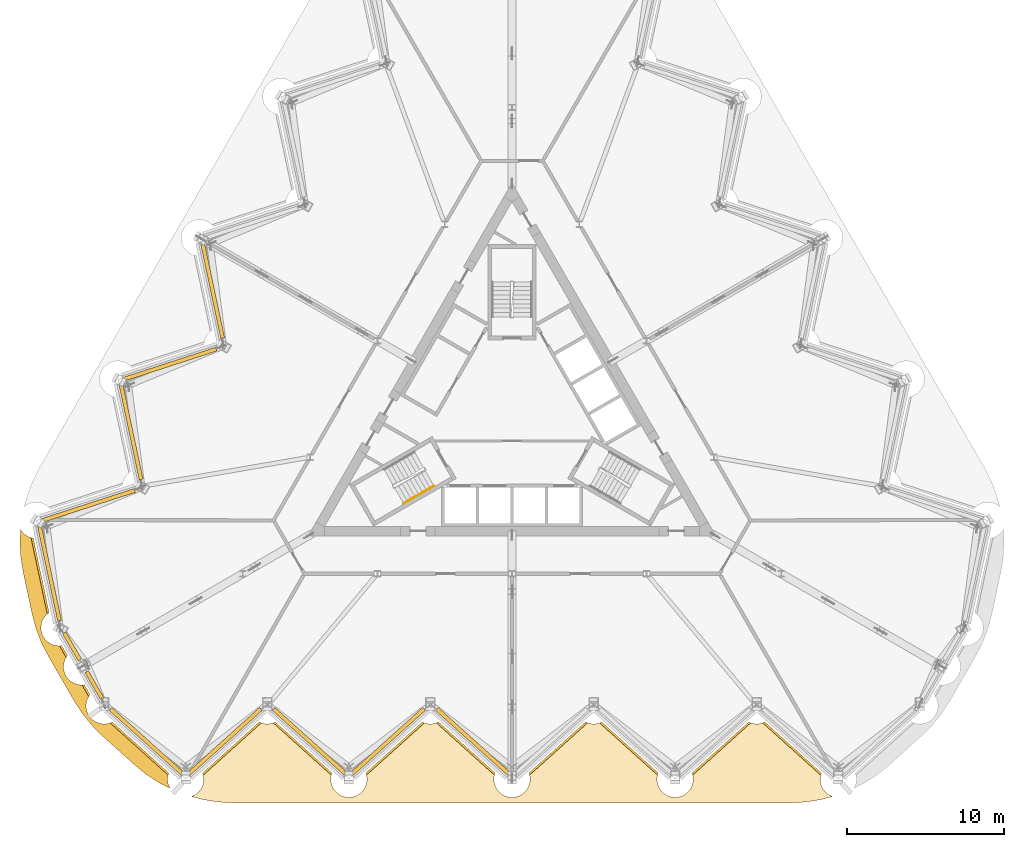
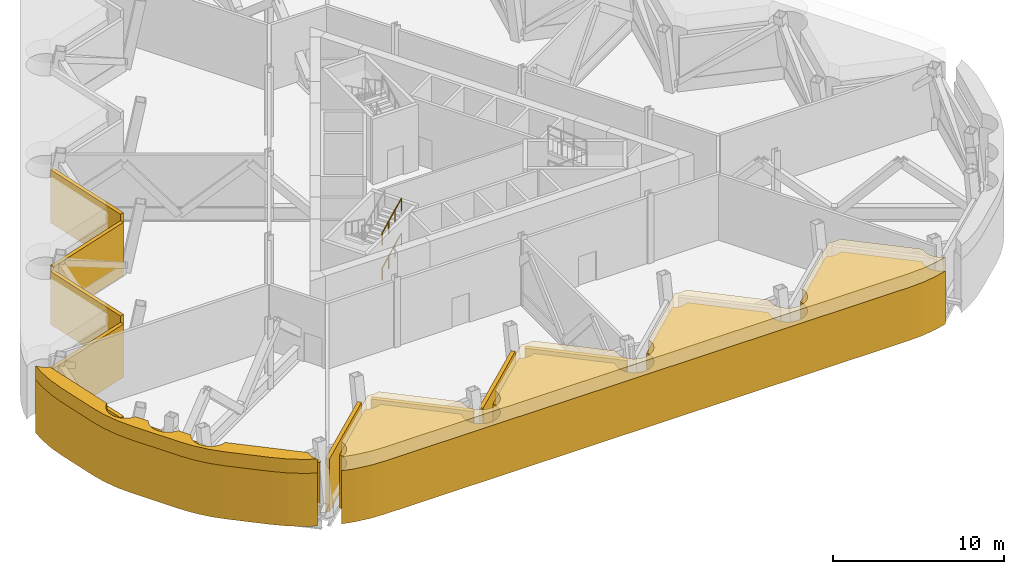
# One storey, part 13 of 16: 12 shading devices, 4 coverings, 2 railings.
"""IFC4 building model written with IfcOpenShell, lengths in metres."""

import ifcopenshell
import ifcopenshell.guid

model = None  # the IFC model being written
_history = None  # IfcOwnerHistory: only IFC2X3 demands one
_inside = {}  # id of a spatial element -> (the spatial element, [elements in it])
_under = {}  # id of a project, library or spatial element -> (it, [spatial elements below it])
_declared = {}  # id of a project -> (the project, [libraries it declares])
_typed = {}  # id of a type object -> (the type object, [elements of that type])
_made_of = {}  # id of a material, layer set ... -> (it, [elements and type objects made of it])


def new_model(schema):
    """Start an empty IFC model of exactly this schema.

    Asked for "IFC4X3", IfcOpenShell would pick the latest addendum, in which some entities
    have other attributes; the version numbers below select the first issue.
    IFC2X3 requires an IfcOwnerHistory on every rooted entity: one is made here for all.
    """
    global model, _history
    if schema == "IFC4X3":
        model = ifcopenshell.file(schema_version=(4, 3, 0, 0))
    else:
        model = ifcopenshell.file(schema=schema)
    _inside.clear()
    _under.clear()
    _declared.clear()
    _typed.clear()
    _made_of.clear()
    _history = None
    if model.schema == "IFC2X3":
        org = make("IfcOrganization", Name="unknown")
        user = make(
            "IfcPersonAndOrganization",
            ThePerson=make("IfcPerson", FamilyName="unknown"),
            TheOrganization=org,
        )
        app = make(
            "IfcApplication",
            ApplicationDeveloper=org,
            Version="unknown",
            ApplicationFullName="unknown",
            ApplicationIdentifier="unknown",
        )
        _history = make(
            "IfcOwnerHistory",
            OwningUser=user,
            OwningApplication=app,
            ChangeAction="ADDED",
            CreationDate=0,
        )
    return model


def make(cls, **values):
    """One entity of the class cls with the attributes given. An attribute that is None is left unset."""
    return model.create_entity(
        cls, **{name: value for name, value in values.items() if value is not None}
    )


def rooted(cls, **values):
    """An entity with a GlobalId (a new one), such as an element, a storey or a relation."""
    return make(cls, GlobalId=ifcopenshell.guid.new(), OwnerHistory=_history, **values)


def si_unit(unit_type, name, prefix=None):
    """IfcSIUnit, for example si_unit("LENGTHUNIT", "METRE", prefix="MILLI")."""
    return make("IfcSIUnit", UnitType=unit_type, Prefix=prefix, Name=name)


def assignment(units):
    """IfcUnitAssignment: the units of a project."""
    return None if units is None else make("IfcUnitAssignment", Units=units)


def point(xyz):
    """IfcCartesianPoint."""
    return None if xyz is None else make("IfcCartesianPoint", Coordinates=xyz)


def direction(xyz):
    """IfcDirection."""
    return None if xyz is None else make("IfcDirection", DirectionRatios=xyz)


def frame(location, z_axis=None, x_axis=None):
    """IfcAxis2Placement3D, a coordinate frame: its origin and axes. An axis left out is left unset."""
    return make(
        "IfcAxis2Placement3D",
        Location=point(location),
        Axis=direction(z_axis),
        RefDirection=direction(x_axis),
    )


def frame_2d(location, x_axis=None):
    """IfcAxis2Placement2D, a coordinate frame in the plane: its origin and x axis."""
    return make(
        "IfcAxis2Placement2D", Location=point(location), RefDirection=direction(x_axis)
    )


def origin():
    """The frame at (0, 0, 0) with its axes left unset."""
    return frame((0.0, 0.0, 0.0))


def origin_2d():
    """The frame at (0, 0) in the plane with its x axis left unset."""
    return frame_2d((0.0, 0.0))


def place(relative_to, where):
    """IfcLocalPlacement: puts the frame where relative to a parent placement (None: the world)."""
    return make(
        "IfcLocalPlacement", PlacementRelTo=relative_to, RelativePlacement=where
    )


def context(
    kind, dimensions, precision=None, world=None, true_north=None, identifier=None
):
    """IfcGeometricRepresentationContext, for example the 3D "Model" context."""
    return make(
        "IfcGeometricRepresentationContext",
        ContextIdentifier=identifier,
        ContextType=kind,
        CoordinateSpaceDimension=dimensions,
        Precision=precision,
        WorldCoordinateSystem=world,
        TrueNorth=true_north,
    )


def subcontext(parent, identifier, kind, view, scale=None):
    """IfcGeometricRepresentationSubContext, for example "Body" below "Model"."""
    return make(
        "IfcGeometricRepresentationSubContext",
        ContextIdentifier=identifier,
        ContextType=kind,
        ParentContext=parent,
        TargetScale=scale,
        TargetView=view,
    )


def project(units=None, contexts=None):
    """IfcProject with its units and contexts."""
    return rooted(
        "IfcProject",
        Name="project",
        RepresentationContexts=contexts,
        UnitsInContext=assignment(units),
    )


def spatial(cls, under=None, at=None, **own):
    """A site, building, storey or space (cls), placed at a placement, below another one or the project."""
    s = rooted(cls, ObjectPlacement=at, **own)
    if under is not None:
        _under.setdefault(under.id(), (under, []))[1].append(s)
    return s


def polyline(points):
    """IfcPolyline through the points."""
    return make("IfcPolyline", Points=[point(p) for p in points])


def profile(cls, at=None, kind="AREA", **sizes):
    """A parametric profile (cls). Its sizes go by their IFC names, for example OverallWidth=200.0."""
    return make(cls, ProfileType=kind, Position=at, **sizes)


def rectangle(**sizes):
    """IfcRectangleProfileDef."""
    return profile("IfcRectangleProfileDef", **sizes)


def circle(**sizes):
    """IfcCircleProfileDef."""
    return profile("IfcCircleProfileDef", **sizes)


def outline(outer, holes=None, kind="AREA"):
    """IfcArbitraryClosedProfileDef: a profile drawn as a closed curve; with holes, ...WithVoids."""
    if holes is None:
        return make("IfcArbitraryClosedProfileDef", ProfileType=kind, OuterCurve=outer)
    return make(
        "IfcArbitraryProfileDefWithVoids",
        ProfileType=kind,
        OuterCurve=outer,
        InnerCurves=holes,
    )


def extrude(swept, where, along, depth):
    """IfcExtrudedAreaSolid: the profile swept, set in the frame where, extruded along a direction by depth."""
    return make(
        "IfcExtrudedAreaSolid",
        SweptArea=swept,
        Position=where,
        ExtrudedDirection=direction(along),
        Depth=depth,
    )


def shape(context_of_items, identifier, shape_type, items):
    """IfcShapeRepresentation: the items that make up one representation, for example the "Body"."""
    return make(
        "IfcShapeRepresentation",
        ContextOfItems=context_of_items,
        RepresentationIdentifier=identifier,
        RepresentationType=shape_type,
        Items=items,
    )


def material(Name=None, Category=None):
    """IfcMaterial."""
    return make("IfcMaterial", Name=Name, Category=Category)


def layer(
    of_material, thickness, ventilated=None, Name=None, Category=None, Priority=None
):
    """IfcMaterialLayer: one layer of a wall or slab, of a material (None: an air gap)."""
    return make(
        "IfcMaterialLayer",
        Material=of_material,
        LayerThickness=thickness,
        IsVentilated=ventilated,
        Name=Name,
        Category=Category,
        Priority=Priority,
    )


def layer_set(layers, Name=None):
    """IfcMaterialLayerSet."""
    return make("IfcMaterialLayerSet", MaterialLayers=layers, LayerSetName=Name)


def made_of(thing, what):
    """Note that an element or type object is made of a material, layer set ...; save() writes the relation."""
    if what is not None:
        _made_of.setdefault(what.id(), (what, []))[1].append(thing)
    return thing


def type_object(cls, material=None, **own):
    """A type object (cls), such as IfcWallType, which elements share."""
    return made_of(rooted(cls, **own), material)


def element(
    cls,
    number,
    at=None,
    inside=None,
    cuts=None,
    type_object=None,
    material=None,
    context=None,
    identifier="Body",
    shape_type=None,
    held_by="IfcProductDefinitionShape",
    body=None,
    shapes=None,
    **own,
):
    """One element of the class cls, such as IfcWall. Its Tag is "e" and its number.

    at: its placement. inside: the storey or other place that contains it. cuts: it is an
    opening in that element (IfcRelVoidsElement). A single representation is given by context,
    identifier, shape_type and body (its items); several are given by shapes. held_by: the class
    of the entity that holds the representations. save() writes the other relations.
    """
    e = rooted(cls, Tag="e%d" % number, ObjectPlacement=at, **own)
    if body is not None:
        shapes = [shape(context, identifier, shape_type, body)]
    if shapes is not None:
        e.Representation = make(held_by, Representations=shapes)
    if inside is not None:
        _inside.setdefault(inside.id(), (inside, []))[1].append(e)
    if cuts is not None:
        rooted(
            "IfcRelVoidsElement", RelatingBuildingElement=cuts, RelatedOpeningElement=e
        )
    if type_object is not None:
        _typed.setdefault(type_object.id(), (type_object, []))[1].append(e)
    return made_of(e, material)


def aggregate(whole, parts):
    """IfcRelAggregates: a whole, such as a stair, and the parts it consists of."""
    return rooted("IfcRelAggregates", RelatingObject=whole, RelatedObjects=parts)


def save(model, path):
    """Write the relations noted so far, then the file.

    IfcRelAggregates (storeys below a building ...), IfcRelContainedInSpatialStructure (elements
    in a storey), IfcRelDefinesByType, IfcRelAssociatesMaterial and IfcRelDeclares: one each for
    every whole, place, type object, material and project.
    """
    for whole, parts in _under.values():
        aggregate(whole, parts)
    for where, things in _inside.values():
        rooted(
            "IfcRelContainedInSpatialStructure",
            RelatedElements=things,
            RelatingStructure=where,
        )
    for kind, things in _typed.values():
        rooted("IfcRelDefinesByType", RelatedObjects=things, RelatingType=kind)
    for what, things in _made_of.values():
        rooted("IfcRelAssociatesMaterial", RelatedObjects=things, RelatingMaterial=what)
    for by, libraries in _declared.values():
        rooted("IfcRelDeclares", RelatingContext=by, RelatedDefinitions=libraries)
    model.write(path)


model = new_model("IFC4")

# Units and contexts
model_context = context("Model", 3, precision=1e-05, world=origin(), true_north=direction((0.0, 1.0)))
body_context = subcontext(model_context, "Body", "Model", "MODEL_VIEW")
ifc_project = project(units=[si_unit("LENGTHUNIT", "METRE"), si_unit("AREAUNIT", "SQUARE_METRE"), si_unit("VOLUMEUNIT", "CUBIC_METRE"), si_unit("PLANEANGLEUNIT", "RADIAN"), si_unit("MASSUNIT", "GRAM", prefix="KILO")], contexts=[model_context])

# Site, building, storey
site_placement = place(None, origin())
site = spatial("IfcSite", under=ifc_project, at=site_placement, CompositionType="ELEMENT")
building_placement = place(site_placement, origin())
building = spatial("IfcBuilding", under=site, at=building_placement, Name="Cormorant Prow Tower", CompositionType="ELEMENT")
storey_placement = place(building_placement, frame((0.0, 0.0, 356.0)))
storey = spatial("IfcBuildingStorey", under=building, at=storey_placement, Name="L79", CompositionType="ELEMENT", Elevation=356.0)

# Coverings
ifc_material_1 = material(Name="Terracotta", Category="masonry")
ifc_layer_1 = layer(ifc_material_1, 0.449951171875)
ifc_layer_set_1 = layer_set([ifc_layer_1], Name="Terracotta")
covering_type = type_object("IfcCoveringType", Name="Arcade fascia cladding 450", PredefinedType="CLADDING", material=ifc_layer_set_1)
covering_1_placement = place(storey_placement, origin())
element("IfcCovering", 1, at=covering_1_placement, inside=storey, type_object=covering_type, Name="Fascia band L79", PredefinedType="CLADDING", context=body_context, shape_type="SweptSolid", body=[
    extrude(outline(polyline([(-18.79638671875, -24.44580078125), (-19.623291015625, -24.314697265625), (-19.77685546875, -24.2822265625), (-20.4462890625, -24.102783203125), (-20.356201171875, -24.070556640625), (-20.254150390625, -24.022216796875), (-20.157470703125, -23.96435546875), (-20.06689453125, -23.897216796875), (-19.983154296875, -23.8212890625), (-19.9072265625, -23.737548828125), (-19.840087890625, -23.64697265625), (-19.781982421875, -23.55029296875), (-19.73388671875, -23.4482421875), (-19.69580078125, -23.341796875), (-19.66845703125, -23.232421875), (-19.65185546875, -23.120849609375), (-19.646240234375, -23.008056640625), (-19.65185546875, -22.8955078125), (-19.66845703125, -22.78369140625), (-19.69580078125, -22.67431640625), (-19.7216796875, -22.602294921875), (-16.11328125, -19.353271484375), (-16.037353515625, -19.389404296875), (-15.93115234375, -19.42724609375), (-15.821533203125, -19.45458984375), (-15.7099609375, -19.47119140625), (-15.59716796875, -19.476806640625), (-15.484619140625, -19.47119140625), (-15.372802734375, -19.45458984375), (-15.263427734375, -19.42724609375), (-15.156982421875, -19.389404296875), (-15.0810546875, -19.353271484375), (-11.472900390625, -22.602294921875), (-11.49853515625, -22.67431640625), (-11.526123046875, -22.78369140625), (-11.54248046875, -22.8955078125), (-11.548095703125, -23.008056640625), (-11.54248046875, -23.120849609375), (-11.526123046875, -23.232421875), (-11.49853515625, -23.341796875), (-11.460693359375, -23.4482421875), (-11.412353515625, -23.55029296875), (-11.354248046875, -23.64697265625), (-11.287109375, -23.737548828125), (-11.211181640625, -23.8212890625), (-11.127685546875, -23.897216796875), (-11.037109375, -23.96435546875), (-10.940185546875, -24.022216796875), (-10.838134765625, -24.070556640625), (-10.73193359375, -24.108642578125), (-10.62255859375, -24.135986328125), (-10.510986328125, -24.152587890625), (-10.398193359375, -24.158203125), (-10.285400390625, -24.152587890625), (-10.173828125, -24.135986328125), (-10.064208984375, -24.108642578125), (-9.9580078125, -24.070556640625), (-9.85595703125, -24.022216796875), (-9.75927734375, -23.96435546875), (-9.668701171875, -23.897216796875), (-9.5849609375, -23.8212890625), (-9.50927734375, -23.737548828125), (-9.44189453125, -23.64697265625), (-9.3837890625, -23.55029296875), (-9.335693359375, -23.4482421875), (-9.297607421875, -23.341796875), (-9.270263671875, -23.232421875), (-9.253662109375, -23.120849609375), (-9.248291015625, -23.008056640625), (-9.253662109375, -22.8955078125), (-9.270263671875, -22.78369140625), (-9.297607421875, -22.67431640625), (-9.323486328125, -22.602294921875), (-5.715087890625, -19.353271484375), (-5.63916015625, -19.389404296875), (-5.532958984375, -19.42724609375), (-5.42333984375, -19.45458984375), (-5.311767578125, -19.47119140625), (-5.19921875, -19.476806640625), (-5.08642578125, -19.47119140625), (-4.974609375, -19.45458984375), (-4.865234375, -19.42724609375), (-4.759033203125, -19.389404296875), (-4.68310546875, -19.353271484375), (-1.07470703125, -22.602294921875), (-1.1005859375, -22.67431640625), (-1.1279296875, -22.78369140625), (-1.14453125, -22.8955078125), (-1.14990234375, -23.008056640625), (-1.14453125, -23.120849609375), (-1.1279296875, -23.232421875), (-1.1005859375, -23.341796875), (-1.0625, -23.4482421875), (-1.01416015625, -23.55029296875), (-0.956298828125, -23.64697265625), (-0.888916015625, -23.737548828125), (-0.813232421875, -23.8212890625), (-0.7294921875, -23.897216796875), (-0.638916015625, -23.96435546875), (-0.5419921875, -24.022216796875), (-0.440185546875, -24.070556640625), (-0.333740234375, -24.108642578125), (-0.224365234375, -24.135986328125), (-0.11279296875, -24.152587890625), (0.0, -24.158203125), (0.11279296875, -24.152587890625), (0.224365234375, -24.135986328125), (0.333740234375, -24.108642578125), (0.440185546875, -24.070556640625), (0.5419921875, -24.022216796875), (0.638916015625, -23.96435546875), (0.7294921875, -23.897216796875), (0.813232421875, -23.8212890625), (0.888916015625, -23.737548828125), (0.956298828125, -23.64697265625), (1.01416015625, -23.55029296875), (1.0625, -23.4482421875), (1.1005859375, -23.341796875), (1.1279296875, -23.232421875), (1.14453125, -23.120849609375), (1.14990234375, -23.008056640625), (1.14453125, -22.8955078125), (1.1279296875, -22.78369140625), (1.1005859375, -22.67431640625), (1.07470703125, -22.602294921875), (4.68310546875, -19.353271484375), (4.759033203125, -19.389404296875), (4.865234375, -19.42724609375), (4.974609375, -19.45458984375), (5.08642578125, -19.47119140625), (5.19921875, -19.476806640625), (5.311767578125, -19.47119140625), (5.42333984375, -19.45458984375), (5.532958984375, -19.42724609375), (5.63916015625, -19.389404296875), (5.715087890625, -19.353271484375), (9.323486328125, -22.602294921875), (9.297607421875, -22.67431640625), (9.270263671875, -22.78369140625), (9.253662109375, -22.8955078125), (9.248291015625, -23.008056640625), (9.253662109375, -23.120849609375), (9.270263671875, -23.232421875), (9.297607421875, -23.341796875), (9.335693359375, -23.4482421875), (9.3837890625, -23.55029296875), (9.44189453125, -23.64697265625), (9.50927734375, -23.737548828125), (9.5849609375, -23.8212890625), (9.668701171875, -23.897216796875), (9.75927734375, -23.96435546875), (9.85595703125, -24.022216796875), (9.9580078125, -24.070556640625), (10.064208984375, -24.108642578125), (10.173828125, -24.135986328125), (10.285400390625, -24.152587890625), (10.398193359375, -24.158203125), (10.510986328125, -24.152587890625), (10.62255859375, -24.135986328125), (10.73193359375, -24.108642578125), (10.838134765625, -24.070556640625), (10.940185546875, -24.022216796875), (11.037109375, -23.96435546875), (11.127685546875, -23.897216796875), (11.211181640625, -23.8212890625), (11.287109375, -23.737548828125), (11.354248046875, -23.64697265625), (11.412353515625, -23.55029296875), (11.460693359375, -23.4482421875), (11.49853515625, -23.341796875), (11.526123046875, -23.232421875), (11.54248046875, -23.120849609375), (11.548095703125, -23.008056640625), (11.54248046875, -22.8955078125), (11.526123046875, -22.78369140625), (11.49853515625, -22.67431640625), (11.472900390625, -22.602294921875), (15.0810546875, -19.353271484375), (15.156982421875, -19.389404296875), (15.263427734375, -19.42724609375), (15.372802734375, -19.45458984375), (15.484619140625, -19.47119140625), (15.59716796875, -19.476806640625), (15.7099609375, -19.47119140625), (15.821533203125, -19.45458984375), (15.93115234375, -19.42724609375), (16.037353515625, -19.389404296875), (16.11328125, -19.353271484375), (19.7216796875, -22.602294921875), (19.69580078125, -22.67431640625), (19.66845703125, -22.78369140625), (19.65185546875, -22.8955078125), (19.646240234375, -23.008056640625), (19.65185546875, -23.120849609375), (19.66845703125, -23.232421875), (19.69580078125, -23.341796875), (19.73388671875, -23.4482421875), (19.781982421875, -23.55029296875), (19.840087890625, -23.64697265625), (19.9072265625, -23.737548828125), (19.983154296875, -23.8212890625), (20.06689453125, -23.897216796875), (20.157470703125, -23.96435546875), (20.254150390625, -24.022216796875), (20.356201171875, -24.070556640625), (20.4462890625, -24.102783203125), (19.77685546875, -24.2822265625), (19.623291015625, -24.314697265625), (18.79638671875, -24.44580078125), (18.64013671875, -24.462158203125), (17.803955078125, -24.506103515625), (17.725341796875, -24.508056640625), (-17.725341796875, -24.508056640625), (-17.803955078125, -24.506103515625), (-18.64013671875, -24.462158203125), (-18.79638671875, -24.44580078125)])), origin(), (0.0, 0.0, 1.0), 3.800048828125),
])
covering_2_placement = place(storey_placement, origin())
element("IfcCovering", 2, at=covering_2_placement, inside=storey, type_object=covering_type, Name="Fascia band L79 part 4", PredefinedType="CLADDING", context=body_context, shape_type="SweptSolid", body=[
    extrude(outline(polyline([(-22.54248046875, -23.1943359375), (-23.24462890625, -22.73828125), (-23.37158203125, -22.64599609375), (-24.0224609375, -22.118896484375), (-24.08203125, -22.068115234375), (-26.0576171875, -20.289306640625), (-26.114501953125, -20.2353515625), (-26.70654296875, -19.643310546875), (-26.8115234375, -19.526611328125), (-27.338623046875, -18.875732421875), (-27.430908203125, -18.748779296875), (-27.886962890625, -18.04638671875), (-27.927978515625, -17.9794921875), (-29.53466796875, -15.196533203125), (-29.572265625, -15.127685546875), (-29.952392578125, -14.381591796875), (-30.01611328125, -14.238037109375), (-30.31640625, -13.456298828125), (-30.36474609375, -13.306884765625), (-30.58154296875, -12.498046875), (-30.599853515625, -12.421630859375), (-31.152587890625, -9.82177734375), (-31.166748046875, -9.744384765625), (-31.2978515625, -8.91748046875), (-31.314208984375, -8.76123046875), (-31.35791015625, -7.925048828125), (-31.35791015625, -7.76806640625), (-31.32177734375, -7.0751953125), (-31.27978515625, -7.14501953125), (-31.212646484375, -7.235595703125), (-31.136962890625, -7.3193359375), (-31.05322265625, -7.39501953125), (-30.962646484375, -7.46240234375), (-30.865966796875, -7.520263671875), (-30.763916015625, -7.568603515625), (-30.65771484375, -7.606689453125), (-30.548095703125, -7.634033203125), (-30.509521484375, -7.6396484375), (-29.500244140625, -12.388427734375), (-29.508056640625, -12.39306640625), (-29.5986328125, -12.460205078125), (-29.682373046875, -12.5361328125), (-29.75830078125, -12.61962890625), (-29.825439453125, -12.710205078125), (-29.88330078125, -12.80712890625), (-29.931640625, -12.9091796875), (-29.9697265625, -13.015380859375), (-29.9970703125, -13.125), (-30.013671875, -13.236572265625), (-30.019287109375, -13.349365234375), (-30.013671875, -13.4619140625), (-29.9970703125, -13.573486328125), (-29.9697265625, -13.68310546875), (-29.931640625, -13.789306640625), (-29.88330078125, -13.891357421875), (-29.825439453125, -13.98828125), (-29.75830078125, -14.078857421875), (-29.682373046875, -14.162353515625), (-29.5986328125, -14.23828125), (-29.508056640625, -14.305419921875), (-29.411376953125, -14.363525390625), (-29.309326171875, -14.41162109375), (-29.202880859375, -14.44970703125), (-29.093505859375, -14.477294921875), (-28.98193359375, -14.49365234375), (-28.869140625, -14.499267578125), (-28.756591796875, -14.49365234375), (-28.69580078125, -14.484619140625), (-28.329345703125, -15.119384765625), (-28.388427734375, -15.19921875), (-28.446533203125, -15.2958984375), (-28.49462890625, -15.39794921875), (-28.53271484375, -15.504150390625), (-28.560302734375, -15.61376953125), (-28.576904296875, -15.725341796875), (-28.582275390625, -15.837890625), (-28.576904296875, -15.95068359375), (-28.560302734375, -16.0625), (-28.53271484375, -16.171875), (-28.49462890625, -16.278076171875), (-28.446533203125, -16.380126953125), (-28.388427734375, -16.476806640625), (-28.3212890625, -16.567626953125), (-28.24560546875, -16.651123046875), (-28.161865234375, -16.72705078125), (-28.0712890625, -16.794189453125), (-27.974365234375, -16.852294921875), (-27.872314453125, -16.900390625), (-27.76611328125, -16.9384765625), (-27.656494140625, -16.9658203125), (-27.544921875, -16.982421875), (-27.432373046875, -16.988037109375), (-27.319580078125, -16.982421875), (-27.2587890625, -16.973388671875), (-26.892333984375, -17.608154296875), (-26.95166015625, -17.68798828125), (-27.009521484375, -17.78466796875), (-27.057861328125, -17.88671875), (-27.095947265625, -17.992919921875), (-27.123291015625, -18.1025390625), (-27.139892578125, -18.214111328125), (-27.1455078125, -18.326904296875), (-27.139892578125, -18.439453125), (-27.123291015625, -18.55126953125), (-27.095947265625, -18.66064453125), (-27.057861328125, -18.766845703125), (-27.009521484375, -18.868896484375), (-26.95166015625, -18.9658203125), (-26.884521484375, -19.056396484375), (-26.80859375, -19.139892578125), (-26.724853515625, -19.2158203125), (-26.63427734375, -19.282958984375), (-26.53759765625, -19.341064453125), (-26.435546875, -19.389404296875), (-26.3291015625, -19.42724609375), (-26.2197265625, -19.45458984375), (-26.108154296875, -19.47119140625), (-25.995361328125, -19.476806640625), (-25.8828125, -19.47119140625), (-25.77099609375, -19.45458984375), (-25.66162109375, -19.42724609375), (-25.555419921875, -19.389404296875), (-25.479248046875, -19.353271484375), (-21.87109375, -22.602294921875), (-21.896728515625, -22.67431640625), (-21.92431640625, -22.78369140625), (-21.94091796875, -22.8955078125), (-21.9462890625, -23.008056640625), (-21.94091796875, -23.120849609375), (-21.92431640625, -23.232421875), (-21.896728515625, -23.341796875), (-21.85888671875, -23.4482421875), (-21.810546875, -23.55029296875), (-21.787841796875, -23.587890625), (-22.406494140625, -23.272705078125), (-22.54248046875, -23.1943359375)])), origin(), (0.0, 0.0, 1.0), 3.800048828125),
])
covering_3_placement = place(storey_placement, frame((0.0, 0.0, 3.800048828125)))
element("IfcCovering", 3, at=covering_3_placement, inside=storey, type_object=covering_type, Name="Fascia band L79 head part 3", PredefinedType="CLADDING", context=body_context, shape_type="SweptSolid", body=[
    extrude(outline(polyline([(-19.623291015625, -24.314697265625), (-19.77685546875, -24.2822265625), (-20.4462890625, -24.102783203125), (-20.356201171875, -24.070556640625), (-20.254150390625, -24.022216796875), (-20.157470703125, -23.96435546875), (-20.06689453125, -23.897216796875), (-19.983154296875, -23.8212890625), (-19.9072265625, -23.737548828125), (-19.840087890625, -23.64697265625), (-19.781982421875, -23.55029296875), (-19.73388671875, -23.4482421875), (-19.69580078125, -23.341796875), (-19.66845703125, -23.232421875), (-19.65185546875, -23.120849609375), (-19.646240234375, -23.008056640625), (-19.65185546875, -22.8955078125), (-19.66845703125, -22.78369140625), (-19.677978515625, -22.745849609375), (-15.974853515625, -19.41162109375), (-15.93115234375, -19.42724609375), (-15.821533203125, -19.45458984375), (-15.7099609375, -19.47119140625), (-15.59716796875, -19.476806640625), (-15.484619140625, -19.47119140625), (-15.372802734375, -19.45458984375), (-15.263427734375, -19.42724609375), (-15.219482421875, -19.41162109375), (-11.5166015625, -22.745849609375), (-11.526123046875, -22.78369140625), (-11.54248046875, -22.8955078125), (-11.548095703125, -23.008056640625), (-11.54248046875, -23.120849609375), (-11.526123046875, -23.232421875), (-11.49853515625, -23.341796875), (-11.460693359375, -23.4482421875), (-11.412353515625, -23.55029296875), (-11.354248046875, -23.64697265625), (-11.287109375, -23.737548828125), (-11.211181640625, -23.8212890625), (-11.127685546875, -23.897216796875), (-11.037109375, -23.96435546875), (-10.940185546875, -24.022216796875), (-10.838134765625, -24.070556640625), (-10.73193359375, -24.108642578125), (-10.62255859375, -24.135986328125), (-10.510986328125, -24.152587890625), (-10.398193359375, -24.158203125), (-10.285400390625, -24.152587890625), (-10.173828125, -24.135986328125), (-10.064208984375, -24.108642578125), (-9.9580078125, -24.070556640625), (-9.85595703125, -24.022216796875), (-9.75927734375, -23.96435546875), (-9.668701171875, -23.897216796875), (-9.5849609375, -23.8212890625), (-9.50927734375, -23.737548828125), (-9.44189453125, -23.64697265625), (-9.3837890625, -23.55029296875), (-9.335693359375, -23.4482421875), (-9.297607421875, -23.341796875), (-9.270263671875, -23.232421875), (-9.253662109375, -23.120849609375), (-9.248291015625, -23.008056640625), (-9.253662109375, -22.8955078125), (-9.270263671875, -22.78369140625), (-9.27978515625, -22.745849609375), (-5.57666015625, -19.41162109375), (-5.532958984375, -19.42724609375), (-5.42333984375, -19.45458984375), (-5.311767578125, -19.47119140625), (-5.19921875, -19.476806640625), (-5.08642578125, -19.47119140625), (-4.974609375, -19.45458984375), (-4.865234375, -19.42724609375), (-4.821533203125, -19.41162109375), (-1.118408203125, -22.745849609375), (-1.1279296875, -22.78369140625), (-1.14453125, -22.8955078125), (-1.14990234375, -23.008056640625), (-1.14453125, -23.120849609375), (-1.1279296875, -23.232421875), (-1.1005859375, -23.341796875), (-1.0625, -23.4482421875), (-1.01416015625, -23.55029296875), (-0.956298828125, -23.64697265625), (-0.888916015625, -23.737548828125), (-0.813232421875, -23.8212890625), (-0.7294921875, -23.897216796875), (-0.638916015625, -23.96435546875), (-0.5419921875, -24.022216796875), (-0.440185546875, -24.070556640625), (-0.333740234375, -24.108642578125), (-0.224365234375, -24.135986328125), (-0.11279296875, -24.152587890625), (0.0, -24.158203125), (0.11279296875, -24.152587890625), (0.224365234375, -24.135986328125), (0.333740234375, -24.108642578125), (0.440185546875, -24.070556640625), (0.5419921875, -24.022216796875), (0.638916015625, -23.96435546875), (0.7294921875, -23.897216796875), (0.813232421875, -23.8212890625), (0.888916015625, -23.737548828125), (0.956298828125, -23.64697265625), (1.01416015625, -23.55029296875), (1.0625, -23.4482421875), (1.1005859375, -23.341796875), (1.1279296875, -23.232421875), (1.14453125, -23.120849609375), (1.14990234375, -23.008056640625), (1.14453125, -22.8955078125), (1.1279296875, -22.78369140625), (1.118408203125, -22.745849609375), (4.821533203125, -19.41162109375), (4.865234375, -19.42724609375), (4.974609375, -19.45458984375), (5.08642578125, -19.47119140625), (5.19921875, -19.476806640625), (5.311767578125, -19.47119140625), (5.42333984375, -19.45458984375), (5.532958984375, -19.42724609375), (5.57666015625, -19.41162109375), (9.27978515625, -22.745849609375), (9.270263671875, -22.78369140625), (9.253662109375, -22.8955078125), (9.248291015625, -23.008056640625), (9.253662109375, -23.120849609375), (9.270263671875, -23.232421875), (9.297607421875, -23.341796875), (9.335693359375, -23.4482421875), (9.3837890625, -23.55029296875), (9.44189453125, -23.64697265625), (9.50927734375, -23.737548828125), (9.5849609375, -23.8212890625), (9.668701171875, -23.897216796875), (9.75927734375, -23.96435546875), (9.85595703125, -24.022216796875), (9.9580078125, -24.070556640625), (10.064208984375, -24.108642578125), (10.173828125, -24.135986328125), (10.285400390625, -24.152587890625), (10.398193359375, -24.158203125), (10.510986328125, -24.152587890625), (10.62255859375, -24.135986328125), (10.73193359375, -24.108642578125), (10.838134765625, -24.070556640625), (10.940185546875, -24.022216796875), (11.037109375, -23.96435546875), (11.127685546875, -23.897216796875), (11.211181640625, -23.8212890625), (11.287109375, -23.737548828125), (11.354248046875, -23.64697265625), (11.412353515625, -23.55029296875), (11.460693359375, -23.4482421875), (11.49853515625, -23.341796875), (11.526123046875, -23.232421875), (11.54248046875, -23.120849609375), (11.548095703125, -23.008056640625), (11.54248046875, -22.8955078125), (11.526123046875, -22.78369140625), (11.5166015625, -22.745849609375), (15.219482421875, -19.41162109375), (15.263427734375, -19.42724609375), (15.372802734375, -19.45458984375), (15.484619140625, -19.47119140625), (15.59716796875, -19.476806640625), (15.7099609375, -19.47119140625), (15.821533203125, -19.45458984375), (15.93115234375, -19.42724609375), (15.974853515625, -19.41162109375), (19.677978515625, -22.745849609375), (19.66845703125, -22.78369140625), (19.65185546875, -22.8955078125), (19.646240234375, -23.008056640625), (19.65185546875, -23.120849609375), (19.66845703125, -23.232421875), (19.69580078125, -23.341796875), (19.73388671875, -23.4482421875), (19.781982421875, -23.55029296875), (19.840087890625, -23.64697265625), (19.9072265625, -23.737548828125), (19.983154296875, -23.8212890625), (20.06689453125, -23.897216796875), (20.157470703125, -23.96435546875), (20.254150390625, -24.022216796875), (20.356201171875, -24.070556640625), (20.4462890625, -24.102783203125), (19.77685546875, -24.2822265625), (19.623291015625, -24.314697265625), (18.79638671875, -24.44580078125), (18.64013671875, -24.462158203125), (17.803955078125, -24.506103515625), (17.725341796875, -24.508056640625), (-17.725341796875, -24.508056640625), (-17.803955078125, -24.506103515625), (-18.64013671875, -24.462158203125), (-18.79638671875, -24.44580078125), (-19.623291015625, -24.314697265625)])), origin(), (0.0, 0.0, 1.0), 1.0),
])
covering_4_placement = place(storey_placement, frame((0.0, 0.0, 3.800048828125)))
element("IfcCovering", 4, at=covering_4_placement, inside=storey, type_object=covering_type, Name="Fascia band L79 head part 5", PredefinedType="CLADDING", context=body_context, shape_type="SweptSolid", body=[
    extrude(outline(polyline([(-23.24462890625, -22.73828125), (-23.37158203125, -22.64599609375), (-24.0224609375, -22.118896484375), (-24.08203125, -22.068115234375), (-26.0576171875, -20.289306640625), (-26.114501953125, -20.2353515625), (-26.70654296875, -19.643310546875), (-26.8115234375, -19.526611328125), (-27.338623046875, -18.875732421875), (-27.430908203125, -18.748779296875), (-27.886962890625, -18.04638671875), (-27.927978515625, -17.9794921875), (-29.53466796875, -15.196533203125), (-29.572265625, -15.127685546875), (-29.952392578125, -14.381591796875), (-30.01611328125, -14.238037109375), (-30.31640625, -13.456298828125), (-30.36474609375, -13.306884765625), (-30.58154296875, -12.498046875), (-30.599853515625, -12.421630859375), (-31.152587890625, -9.82177734375), (-31.166748046875, -9.744384765625), (-31.2978515625, -8.91748046875), (-31.314208984375, -8.76123046875), (-31.35791015625, -7.925048828125), (-31.35791015625, -7.76806640625), (-31.32177734375, -7.0751953125), (-31.27978515625, -7.14501953125), (-31.212646484375, -7.235595703125), (-31.136962890625, -7.3193359375), (-31.05322265625, -7.39501953125), (-30.962646484375, -7.46240234375), (-30.865966796875, -7.520263671875), (-30.763916015625, -7.568603515625), (-30.65771484375, -7.606689453125), (-30.655517578125, -7.607177734375), (-29.619873046875, -12.4794921875), (-29.682373046875, -12.5361328125), (-29.75830078125, -12.61962890625), (-29.825439453125, -12.710205078125), (-29.88330078125, -12.80712890625), (-29.931640625, -12.9091796875), (-29.9697265625, -13.015380859375), (-29.9970703125, -13.125), (-30.013671875, -13.236572265625), (-30.019287109375, -13.349365234375), (-30.013671875, -13.4619140625), (-29.9970703125, -13.573486328125), (-29.9697265625, -13.68310546875), (-29.931640625, -13.789306640625), (-29.88330078125, -13.891357421875), (-29.825439453125, -13.98828125), (-29.75830078125, -14.078857421875), (-29.682373046875, -14.162353515625), (-29.5986328125, -14.23828125), (-29.508056640625, -14.305419921875), (-29.411376953125, -14.363525390625), (-29.309326171875, -14.41162109375), (-29.202880859375, -14.44970703125), (-29.093505859375, -14.477294921875), (-28.98193359375, -14.49365234375), (-28.869140625, -14.499267578125), (-28.844970703125, -14.498046875), (-28.414794921875, -15.2431640625), (-28.446533203125, -15.2958984375), (-28.49462890625, -15.39794921875), (-28.53271484375, -15.504150390625), (-28.560302734375, -15.61376953125), (-28.576904296875, -15.725341796875), (-28.582275390625, -15.837890625), (-28.576904296875, -15.95068359375), (-28.560302734375, -16.0625), (-28.53271484375, -16.171875), (-28.49462890625, -16.278076171875), (-28.446533203125, -16.380126953125), (-28.388427734375, -16.476806640625), (-28.3212890625, -16.567626953125), (-28.24560546875, -16.651123046875), (-28.161865234375, -16.72705078125), (-28.0712890625, -16.794189453125), (-27.974365234375, -16.852294921875), (-27.872314453125, -16.900390625), (-27.76611328125, -16.9384765625), (-27.656494140625, -16.9658203125), (-27.544921875, -16.982421875), (-27.432373046875, -16.988037109375), (-27.408203125, -16.98681640625), (-26.97802734375, -17.73193359375), (-27.009521484375, -17.78466796875), (-27.057861328125, -17.88671875), (-27.095947265625, -17.992919921875), (-27.123291015625, -18.1025390625), (-27.139892578125, -18.214111328125), (-27.1455078125, -18.326904296875), (-27.139892578125, -18.439453125), (-27.123291015625, -18.55126953125), (-27.095947265625, -18.66064453125), (-27.057861328125, -18.766845703125), (-27.009521484375, -18.868896484375), (-26.95166015625, -18.9658203125), (-26.884521484375, -19.056396484375), (-26.80859375, -19.139892578125), (-26.724853515625, -19.2158203125), (-26.63427734375, -19.282958984375), (-26.53759765625, -19.341064453125), (-26.435546875, -19.389404296875), (-26.3291015625, -19.42724609375), (-26.2197265625, -19.45458984375), (-26.108154296875, -19.47119140625), (-25.995361328125, -19.476806640625), (-25.8828125, -19.47119140625), (-25.77099609375, -19.45458984375), (-25.66162109375, -19.42724609375), (-25.617919921875, -19.41162109375), (-21.914794921875, -22.745849609375), (-21.92431640625, -22.78369140625), (-21.94091796875, -22.8955078125), (-21.9462890625, -23.008056640625), (-21.94091796875, -23.120849609375), (-21.92431640625, -23.232421875), (-21.896728515625, -23.341796875), (-21.85888671875, -23.4482421875), (-21.810546875, -23.55029296875), (-21.787841796875, -23.587890625), (-22.406494140625, -23.272705078125), (-22.54248046875, -23.1943359375), (-23.24462890625, -22.73828125)])), origin(), (0.0, 0.0, 1.0), 1.0),
])

# Shading devices
ifc_material_2 = material(Name="Aluminium 6063-T6", Category="aluminium")
ifc_layer_2 = layer(ifc_material_2, 0.25)
ifc_layer_set_2 = layer_set([ifc_layer_2], Name="Aluminium 6063-T6")
shading_device_type_1 = type_object("IfcShadingDeviceType", Name="Plant storey louvre panel 2006x250x3800", PredefinedType="USERDEFINED", material=ifc_layer_set_2)
for number, where, z_axis, x_axis, name in (
    (5, (-28.04248046875, -14.53125, 0.0), (0.0, 0.0, 1.0), (0.499999970677, -0.866025420714, 0.0), "Plant storey louvre WSW00"),
    (6, (-26.60546875, -17.02001953125, 0.0), (0.0, 0.0, 1.0), (0.499999970677, -0.866025420714, 0.0), "Plant storey louvre WSW01"),
):
    element("IfcShadingDevice", number, at=place(storey_placement, frame(where, z_axis=z_axis, x_axis=x_axis)), inside=storey, type_object=shading_device_type_1, Name=name, ObjectType="LOUVRE", PredefinedType="USERDEFINED", context=body_context, shape_type="SweptSolid", body=[
        extrude(rectangle(XDim=2.005859375, YDim=0.25, at=origin_2d()), origin(), (0.0, 0.0, 1.0), 3.800048828125),
    ])
ifc_material_3 = material(Name="Aluminium 6063-T6", Category="aluminium")
ifc_layer_3 = layer(ifc_material_3, 0.25)
ifc_layer_set_3 = layer_set([ifc_layer_3], Name="Aluminium 6063-T6")
shading_device_type_2 = type_object("IfcShadingDeviceType", Name="Plant storey louvre panel 6128x250x3800", PredefinedType="USERDEFINED", material=ifc_layer_set_3)
for number, where, z_axis, x_axis, name in (
    (7, (-23.312255859375, -20.574462890625, 0.0), (0.0, 0.0, 1.0), (0.743144815375, -0.669130617578, 0.0), "Plant storey louvre S00"),
    (8, (-18.280517578125, -20.574462890625, 0.0), (0.0, 0.0, 1.0), (0.743144751377, 0.669130688656, 0.0), "Plant storey louvre S01"),
    (9, (-12.9140625, -20.574462890625, 0.0), (0.0, 0.0, 1.0), (0.743144815375, -0.669130617578, 0.0), "Plant storey louvre S02"),
    (10, (-7.88232421875, -20.574462890625, 0.0), (0.0, 0.0, 1.0), (0.743144751377, 0.669130688656, 0.0), "Plant storey louvre S03"),
    (11, (-2.515869140625, -20.574462890625, 0.0), (0.0, 0.0, 1.0), (0.743144815375, -0.669130617578, 0.0), "Plant storey louvre S04"),
    (12, (-19.075927734375, 8.1083984375, 0.0), (0.0, 0.0, 1.0), (0.20791176281, -0.978147585431, 0.0), "Plant storey louvre WNW05"),
    (13, (-21.75927734375, 3.4609375, 0.0), (0.0, 0.0, 1.0), (-0.951056517881, -0.309016989495, 0.0), "Plant storey louvre WNW06"),
    (14, (-24.275146484375, -0.896728515625, 0.0), (0.0, 0.0, 1.0), (0.20791165512, -0.978147608322, 0.0), "Plant storey louvre WNW07"),
    (15, (-26.958251953125, -5.5439453125, 0.0), (0.0, 0.0, 1.0), (-0.951056517881, -0.309016989495, 0.0), "Plant storey louvre WNW08"),
    (16, (-29.47412109375, -9.901611328125, 0.0), (0.0, 0.0, 1.0), (0.20791176281, -0.978147585431, 0.0), "Plant storey louvre WNW09"),
):
    element("IfcShadingDevice", number, at=place(storey_placement, frame(where, z_axis=z_axis, x_axis=x_axis)), inside=storey, type_object=shading_device_type_2, Name=name, ObjectType="LOUVRE", PredefinedType="USERDEFINED", context=body_context, shape_type="SweptSolid", body=[
        extrude(rectangle(XDim=6.1279296875, YDim=0.25, at=origin_2d()), origin(), (0.0, 0.0, 1.0), 3.800048828125),
    ])

# Railings
ifc_material_4 = material(Name="Stainless steel", Category="steel")
railing_type = type_object("IfcRailingType", Name="Stair handrail 900", PredefinedType="HANDRAIL", material=ifc_material_4)
for number, where, name in (
    (17, (-6.90869140625, -5.42529296875, 1.388916015625), "L79 ST1 stair handrail 2"),
    (18, (-6.90869140625, -5.42529296875, 3.888916015625), "L79 ST1 stair handrail 4"),
):
    element("IfcRailing", number, at=place(storey_placement, frame(where)), inside=storey, type_object=railing_type, Name=name, PredefinedType="HANDRAIL", context=body_context, shape_type="SweptSolid", body=[
        extrude(circle(Radius=0.02392578125, at=origin_2d()), frame((0.0, 0.0, 0.8759765625), z_axis=(0.775779884805, 0.447989693075, 0.44437687297), x_axis=(-0.500077830873, 0.865980463445, 0.0)), (0.0, 0.0, 1.0), 2.500244140625),
        extrude(circle(Radius=0.02099609375, at=origin_2d()), origin(), (0.0, 0.0, 1.0), 0.851806640625),
        extrude(circle(Radius=0.02099609375, at=origin_2d()), frame((0.646484375, 0.373291015625, 0.370361328125)), (0.0, 0.0, 1.0), 0.851806640625),
        extrude(circle(Radius=0.02099609375, at=origin_2d()), frame((1.293212890625, 0.746826171875, 0.74072265625)), (0.0, 0.0, 1.0), 0.851806640625),
        extrude(circle(Radius=0.02099609375, at=origin_2d()), frame((1.939697265625, 1.1201171875, 1.111083984375)), (0.0, 0.0, 1.0), 0.851806640625),
    ])

save(model, "model.ifc")
